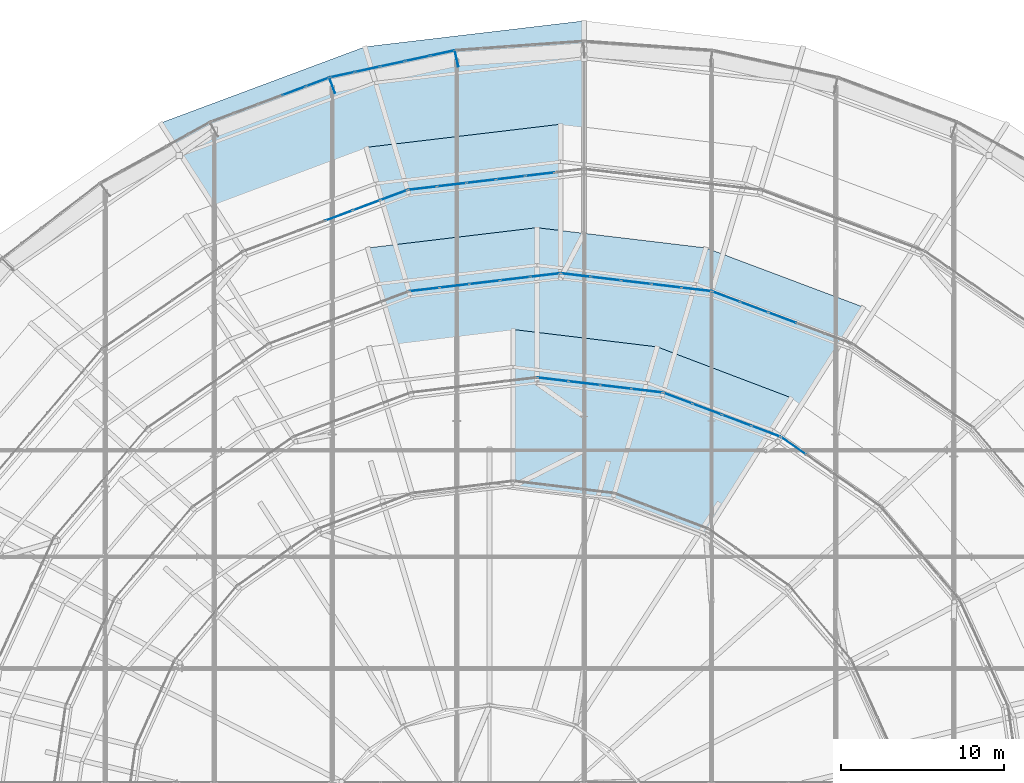
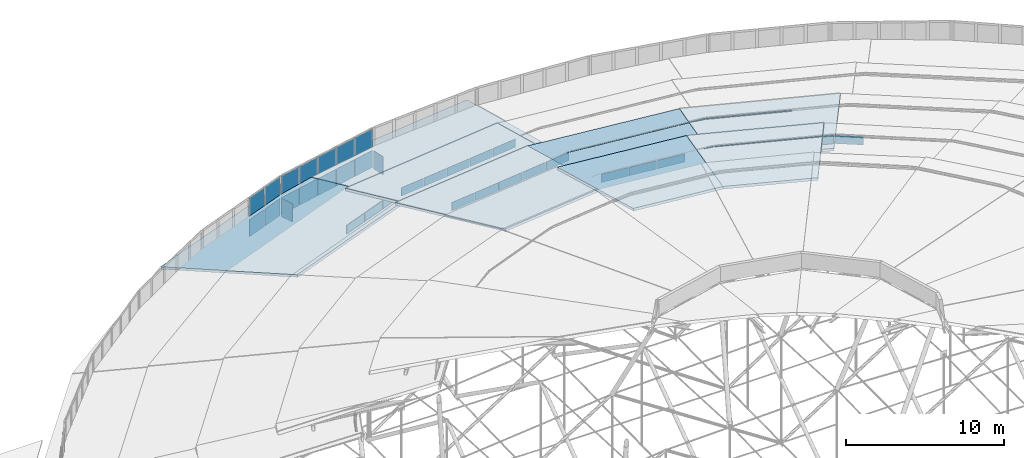
# One storey, part 157 of 173: 46 plates, 8 slabs, 14 elements without a shape of their own.
"""IFC4 building model written with IfcOpenShell, lengths in metres."""

from ifc_helpers import new_model, si_unit, direction, frame, origin, origin_2d, place, context, subcontext, project, spatial, polyline, rectangle, outline, extrude, material, layer, layer_set, type_object, element, aggregate, save


model = new_model("IFC4")

# Units and contexts
model_context = context("Model", 3, precision=1e-05, world=origin(), true_north=direction((0.0, 1.0)))
body_context = subcontext(model_context, "Body", "Model", "MODEL_VIEW")
ifc_project = project(units=[si_unit("LENGTHUNIT", "METRE"), si_unit("AREAUNIT", "SQUARE_METRE"), si_unit("VOLUMEUNIT", "CUBIC_METRE"), si_unit("PLANEANGLEUNIT", "RADIAN"), si_unit("MASSUNIT", "GRAM", prefix="KILO")], contexts=[model_context])

# Site, building, storey
site_placement = place(None, origin())
site = spatial("IfcSite", under=ifc_project, at=site_placement, CompositionType="ELEMENT")
building_placement = place(site_placement, origin())
building = spatial("IfcBuilding", under=site, at=building_placement, Name="Glasvene Arena", CompositionType="ELEMENT")
storey_placement = place(building_placement, frame((0.0, 0.0, 28.800048828125)))
storey = spatial("IfcBuildingStorey", under=building, at=storey_placement, Name="RF", CompositionType="ELEMENT", Elevation=28.800048828125)

# Curtain wall, plates
ifc_material_1 = material(Name="Low-emissivity laminated double glazing", Category="glass")
curtain_wall_type_1 = type_object("IfcCurtainWallType", Name="CW-PET1-1091x75", PredefinedType="USERDEFINED", material=ifc_material_1)
curtain_wall_1_placement = place(storey_placement, frame((92.0, 110.699951171875, 0.0)))
curtain_wall_1 = element("IfcCurtainWall", 1, at=curtain_wall_1_placement, inside=storey, type_object=curtain_wall_type_1, Name="Petal ring 1-2 clerestory curtain wall 07", ObjectType="CURTAIN WALL", PredefinedType="USERDEFINED")
ifc_layer_1 = layer(ifc_material_1, 0.028076171875)
ifc_layer_set_1 = layer_set([ifc_layer_1], Name="Low-emissivity laminated double glazing")
plate_type_1 = type_object("IfcPlateType", Name="CW-GLZ-28", PredefinedType="CURTAIN_PANEL", material=ifc_layer_set_1)
plate_1_placement = place(storey_placement, frame((89.2919921875, 110.37890625, 2.6298828125), z_axis=(0.0, 0.0, 1.0), x_axis=(-0.993040652756, -0.117772076378, 0.0)))
plate_1 = element("IfcPlate", 2, at=plate_1_placement, type_object=plate_type_1, Name="CW-086 panel 2.1", PredefinedType="CURTAIN_PANEL", context=body_context, shape_type="SweptSolid", body=[
    extrude(rectangle(XDim=1.767822265625, YDim=0.028076171875, at=origin_2d()), origin(), (0.0, 0.0, 1.0), 0.64990234375),
])
plate_2_placement = place(storey_placement, frame((87.48681640625, 110.164794921875, 2.6298828125), z_axis=(0.0, 0.0, 1.0), x_axis=(-0.993040652756, -0.117772076378, 0.0)))
plate_2 = element("IfcPlate", 3, at=plate_2_placement, type_object=plate_type_1, Name="CW-086 panel 3.1", PredefinedType="CURTAIN_PANEL", context=body_context, shape_type="SweptSolid", body=[
    extrude(rectangle(XDim=1.767822265625, YDim=0.028076171875, at=origin_2d()), origin(), (0.0, 0.0, 1.0), 0.64990234375),
])
plate_3_placement = place(storey_placement, frame((85.681640625, 109.95068359375, 2.6298828125), z_axis=(0.0, 0.0, 1.0), x_axis=(-0.993040652756, -0.117772076378, 0.0)))
plate_3 = element("IfcPlate", 4, at=plate_3_placement, type_object=plate_type_1, Name="CW-086 panel 4.1", PredefinedType="CURTAIN_PANEL", context=body_context, shape_type="SweptSolid", body=[
    extrude(rectangle(XDim=1.767822265625, YDim=0.028076171875, at=origin_2d()), origin(), (0.0, 0.0, 1.0), 0.64990234375),
])
plate_4_placement = place(storey_placement, frame((83.876220703125, 109.736572265625, 2.6298828125), z_axis=(0.0, 0.0, 1.0), x_axis=(-0.993040652756, -0.117772076378, 0.0)))
plate_4 = element("IfcPlate", 5, at=plate_4_placement, type_object=plate_type_1, Name="CW-086 panel 5.1", PredefinedType="CURTAIN_PANEL", context=body_context, shape_type="SweptSolid", body=[
    extrude(rectangle(XDim=1.767822265625, YDim=0.028076171875, at=origin_2d()), origin(), (0.0, 0.0, 1.0), 0.64990234375),
])
plate_5_placement = place(storey_placement, frame((82.08349609375, 109.52392578125, 2.6298828125), z_axis=(0.0, 0.0, 1.0), x_axis=(-0.993040652756, -0.117772076378, 0.0)))
plate_5 = element("IfcPlate", 6, at=plate_5_placement, type_object=plate_type_1, Name="CW-086 panel 6.1", PredefinedType="CURTAIN_PANEL", context=body_context, shape_type="SweptSolid", body=[
    extrude(rectangle(XDim=1.742919921875, YDim=0.028076171875, at=origin_2d()), origin(), (0.0, 0.0, 1.0), 0.64990234375),
])
aggregate(curtain_wall_1, [plate_1, plate_2, plate_3, plate_4, plate_5])

curtain_wall_type_2 = type_object("IfcCurtainWallType", Name="CW-PET1-1077x75", PredefinedType="USERDEFINED", material=ifc_material_1)
curtain_wall_2_placement = place(storey_placement, frame((81.16845703125, 109.415283203125, 0.0)))
curtain_wall_2 = element("IfcCurtainWall", 7, at=curtain_wall_2_placement, inside=storey, type_object=curtain_wall_type_2, Name="Petal ring 1-2 clerestory curtain wall 08", ObjectType="CURTAIN WALL", PredefinedType="USERDEFINED")
plate_6_placement = place(storey_placement, frame((80.315673828125, 109.09716796875, 2.6298828125), z_axis=(0.0, 0.0, 1.0), x_axis=(-0.936902411354, -0.349591006176, 0.0)))
plate_6 = element("IfcPlate", 8, at=plate_6_placement, type_object=plate_type_1, Name="CW-085 panel 1.1", PredefinedType="CURTAIN_PANEL", context=body_context, shape_type="SweptSolid", body=[
    extrude(rectangle(XDim=1.720458984375, YDim=0.028076171875, at=origin_2d()), origin(), (0.0, 0.0, 1.0), 0.64990234375),
])
plate_7_placement = place(storey_placement, frame((78.64501953125, 108.473876953125, 2.6298828125), z_axis=(0.0, 0.0, 1.0), x_axis=(-0.936902411354, -0.349591006176, 0.0)))
plate_7 = element("IfcPlate", 9, at=plate_7_placement, type_object=plate_type_1, Name="CW-085 panel 2.1", PredefinedType="CURTAIN_PANEL", context=body_context, shape_type="SweptSolid", body=[
    extrude(rectangle(XDim=1.74560546875, YDim=0.028076171875, at=origin_2d()), origin(), (0.0, 0.0, 1.0), 0.64990234375),
])
plate_8_placement = place(storey_placement, frame((76.962890625, 107.84619140625, 2.6298828125), z_axis=(0.0, 0.0, 1.0), x_axis=(-0.936902411354, -0.349591006176, 0.0)))
plate_8 = element("IfcPlate", 10, at=plate_8_placement, type_object=plate_type_1, Name="CW-085 panel 3.1", PredefinedType="CURTAIN_PANEL", context=body_context, shape_type="SweptSolid", body=[
    extrude(rectangle(XDim=1.74560546875, YDim=0.028076171875, at=origin_2d()), origin(), (0.0, 0.0, 1.0), 0.64990234375),
])
aggregate(curtain_wall_2, [plate_6, plate_7, plate_8])

curtain_wall_type_3 = type_object("IfcCurtainWallType", Name="CW-PET2-925x75", PredefinedType="USERDEFINED", material=ifc_material_1)
curtain_wall_3_placement = place(storey_placement, frame((108.5, 99.952392578125, 0.0)))
curtain_wall_3 = element("IfcCurtainWall", 11, at=curtain_wall_3_placement, inside=storey, type_object=curtain_wall_type_3, Name="Petal ring 2-3 clerestory curtain wall 05", ObjectType="CURTAIN WALL", PredefinedType="USERDEFINED")
plate_9_placement = place(storey_placement, frame((104.1708984375, 101.573486328125, 5.22998046875), z_axis=(0.0, 0.0, 1.0), x_axis=(-0.936510409342, 0.350639776971, 0.0)))
plate_9 = element("IfcPlate", 12, at=plate_9_placement, type_object=plate_type_1, Name="CW-091 panel 3.1", PredefinedType="CURTAIN_PANEL", context=body_context, shape_type="SweptSolid", body=[
    extrude(rectangle(XDim=1.799072265625, YDim=0.028076171875, at=origin_2d()), origin(), (0.0, 0.0, 1.0), 0.64990234375),
])
plate_10_placement = place(storey_placement, frame((102.439208984375, 102.2216796875, 5.22998046875), z_axis=(0.0, 0.0, 1.0), x_axis=(-0.936510409342, 0.350639776971, 0.0)))
plate_10 = element("IfcPlate", 13, at=plate_10_placement, type_object=plate_type_1, Name="CW-091 panel 4.1", PredefinedType="CURTAIN_PANEL", context=body_context, shape_type="SweptSolid", body=[
    extrude(rectangle(XDim=1.799072265625, YDim=0.028076171875, at=origin_2d()), origin(), (0.0, 0.0, 1.0), 0.64990234375),
])
plate_11_placement = place(storey_placement, frame((100.71923828125, 102.86572265625, 5.22998046875), z_axis=(0.0, 0.0, 1.0), x_axis=(-0.936510409342, 0.350639776971, 0.0)))
plate_11 = element("IfcPlate", 14, at=plate_11_placement, type_object=plate_type_1, Name="CW-091 panel 5.1", PredefinedType="CURTAIN_PANEL", context=body_context, shape_type="SweptSolid", body=[
    extrude(rectangle(XDim=1.774169921875, YDim=0.028076171875, at=origin_2d()), origin(), (0.0, 0.0, 1.0), 0.64990234375),
])
aggregate(curtain_wall_3, [plate_9, plate_10, plate_11])

curtain_wall_type_4 = type_object("IfcCurtainWallType", Name="CW-PET2-936x75", PredefinedType="USERDEFINED", material=ifc_material_1)
curtain_wall_4_placement = place(storey_placement, frame((99.841552734375, 103.1943359375, 0.0)))
curtain_wall_4 = element("IfcCurtainWall", 15, at=curtain_wall_4_placement, inside=storey, type_object=curtain_wall_type_4, Name="Petal ring 2-3 clerestory curtain wall 06", ObjectType="CURTAIN WALL", PredefinedType="USERDEFINED")
plate_12_placement = place(storey_placement, frame((98.900146484375, 103.306396484375, 5.22998046875), z_axis=(0.0, 0.0, 1.0), x_axis=(-0.992993828668, 0.118166222866, 0.0)))
plate_12 = element("IfcPlate", 16, at=plate_12_placement, type_object=plate_type_1, Name="CW-092 panel 1.1", PredefinedType="CURTAIN_PANEL", context=body_context, shape_type="SweptSolid", body=[
    extrude(rectangle(XDim=1.79638671875, YDim=0.028076171875, at=origin_2d()), origin(), (0.0, 0.0, 1.0), 0.64990234375),
])
plate_13_placement = place(storey_placement, frame((97.05419921875, 103.526123046875, 5.22998046875), z_axis=(0.0, 0.0, 1.0), x_axis=(-0.992993828668, 0.118166222866, 0.0)))
plate_13 = element("IfcPlate", 17, at=plate_13_placement, type_object=plate_type_1, Name="CW-092 panel 2.1", PredefinedType="CURTAIN_PANEL", context=body_context, shape_type="SweptSolid", body=[
    extrude(rectangle(XDim=1.821533203125, YDim=0.028076171875, at=origin_2d()), origin(), (0.0, 0.0, 1.0), 0.64990234375),
])
plate_14_placement = place(storey_placement, frame((95.19580078125, 103.7470703125, 5.22998046875), z_axis=(0.0, 0.0, 1.0), x_axis=(-0.992993828668, 0.118166222866, 0.0)))
plate_14 = element("IfcPlate", 18, at=plate_14_placement, type_object=plate_type_1, Name="CW-092 panel 3.1", PredefinedType="CURTAIN_PANEL", context=body_context, shape_type="SweptSolid", body=[
    extrude(rectangle(XDim=1.821533203125, YDim=0.028076171875, at=origin_2d()), origin(), (0.0, 0.0, 1.0), 0.64990234375),
])
plate_15_placement = place(storey_placement, frame((93.33740234375, 103.96826171875, 5.22998046875), z_axis=(0.0, 0.0, 1.0), x_axis=(-0.992993828668, 0.118166222866, 0.0)))
plate_15 = element("IfcPlate", 19, at=plate_15_placement, type_object=plate_type_1, Name="CW-092 panel 4.1", PredefinedType="CURTAIN_PANEL", context=body_context, shape_type="SweptSolid", body=[
    extrude(rectangle(XDim=1.821533203125, YDim=0.028076171875, at=origin_2d()), origin(), (0.0, 0.0, 1.0), 0.64990234375),
])
plate_16_placement = place(storey_placement, frame((91.491455078125, 104.18798828125, 5.22998046875), z_axis=(0.0, 0.0, 1.0), x_axis=(-0.992993828668, 0.118166222866, 0.0)))
plate_16 = element("IfcPlate", 20, at=plate_16_placement, type_object=plate_type_1, Name="CW-092 panel 5.1", PredefinedType="CURTAIN_PANEL", context=body_context, shape_type="SweptSolid", body=[
    extrude(rectangle(XDim=1.79638671875, YDim=0.028076171875, at=origin_2d()), origin(), (0.0, 0.0, 1.0), 0.64990234375),
])
aggregate(curtain_wall_4, [plate_12, plate_13, plate_14, plate_15, plate_16])

curtain_wall_5_placement = place(storey_placement, frame((90.550048828125, 104.300048828125, 0.0)))
curtain_wall_5 = element("IfcCurtainWall", 21, at=curtain_wall_5_placement, inside=storey, type_object=curtain_wall_type_4, Name="Petal ring 2-3 clerestory curtain wall 07", ObjectType="CURTAIN WALL", PredefinedType="USERDEFINED")
plate_17_placement = place(storey_placement, frame((89.6083984375, 104.18798828125, 5.22998046875), z_axis=(0.0, 0.0, 1.0), x_axis=(-0.992993828668, -0.118166222866, 0.0)))
plate_17 = element("IfcPlate", 22, at=plate_17_placement, type_object=plate_type_1, Name="CW-092 panel 1.1", PredefinedType="CURTAIN_PANEL", context=body_context, shape_type="SweptSolid", body=[
    extrude(rectangle(XDim=1.79638671875, YDim=0.028076171875, at=origin_2d()), origin(), (0.0, 0.0, 1.0), 0.64990234375),
])
plate_18_placement = place(storey_placement, frame((87.762451171875, 103.96826171875, 5.22998046875), z_axis=(0.0, 0.0, 1.0), x_axis=(-0.992993828668, -0.118166222866, 0.0)))
plate_18 = element("IfcPlate", 23, at=plate_18_placement, type_object=plate_type_1, Name="CW-092 panel 2.1", PredefinedType="CURTAIN_PANEL", context=body_context, shape_type="SweptSolid", body=[
    extrude(rectangle(XDim=1.821533203125, YDim=0.028076171875, at=origin_2d()), origin(), (0.0, 0.0, 1.0), 0.64990234375),
])
plate_19_placement = place(storey_placement, frame((85.904296875, 103.7470703125, 5.22998046875), z_axis=(0.0, 0.0, 1.0), x_axis=(-0.992993828668, -0.118166222866, 0.0)))
plate_19 = element("IfcPlate", 24, at=plate_19_placement, type_object=plate_type_1, Name="CW-092 panel 3.1", PredefinedType="CURTAIN_PANEL", context=body_context, shape_type="SweptSolid", body=[
    extrude(rectangle(XDim=1.821533203125, YDim=0.028076171875, at=origin_2d()), origin(), (0.0, 0.0, 1.0), 0.64990234375),
])
plate_20_placement = place(storey_placement, frame((84.0458984375, 103.526123046875, 5.22998046875), z_axis=(0.0, 0.0, 1.0), x_axis=(-0.992993828668, -0.118166222866, 0.0)))
plate_20 = element("IfcPlate", 25, at=plate_20_placement, type_object=plate_type_1, Name="CW-092 panel 4.1", PredefinedType="CURTAIN_PANEL", context=body_context, shape_type="SweptSolid", body=[
    extrude(rectangle(XDim=1.821533203125, YDim=0.028076171875, at=origin_2d()), origin(), (0.0, 0.0, 1.0), 0.64990234375),
])
plate_21_placement = place(storey_placement, frame((82.199951171875, 103.306396484375, 5.22998046875), z_axis=(0.0, 0.0, 1.0), x_axis=(-0.992993828668, -0.118166222866, 0.0)))
plate_21 = element("IfcPlate", 26, at=plate_21_placement, type_object=plate_type_1, Name="CW-092 panel 5.1", PredefinedType="CURTAIN_PANEL", context=body_context, shape_type="SweptSolid", body=[
    extrude(rectangle(XDim=1.79638671875, YDim=0.028076171875, at=origin_2d()), origin(), (0.0, 0.0, 1.0), 0.64990234375),
])
aggregate(curtain_wall_5, [plate_17, plate_18, plate_19, plate_20, plate_21])

# Curtain wall, plate
curtain_wall_type_5 = type_object("IfcCurtainWallType", Name="CW-PET3-756x75", PredefinedType="USERDEFINED", material=ifc_material_1)
curtain_wall_6_placement = place(storey_placement, frame((110.27783203125, 89.933349609375, 0.0)))
curtain_wall_6 = element("IfcCurtainWall", 27, at=curtain_wall_6_placement, inside=storey, type_object=curtain_wall_type_5, Name="Petal ring 3-4 clerestory curtain wall 04", ObjectType="CURTAIN WALL", PredefinedType="USERDEFINED")
plate_22_placement = place(storey_placement, frame((104.860595703125, 93.70849609375, 7.8798828125), z_axis=(0.0, 0.0, 1.0), x_axis=(-0.82043313701, 0.571742483725, 0.0)))
plate_22 = element("IfcPlate", 28, at=plate_22_placement, type_object=plate_type_1, Name="CW-096 panel 4.1", PredefinedType="CURTAIN_PANEL", context=body_context, shape_type="SweptSolid", body=[
    extrude(rectangle(XDim=1.815185546875, YDim=0.028076171875, at=origin_2d()), origin(), (0.0, 0.0, 1.0), 0.64990234375),
])
aggregate(curtain_wall_6, [plate_22])

# Curtain wall, plates
curtain_wall_type_6 = type_object("IfcCurtainWallType", Name="CW-PET3-772x75", PredefinedType="USERDEFINED", material=ifc_material_1)
curtain_wall_7_placement = place(storey_placement, frame((104.074951171875, 94.255859375, 0.0)))
curtain_wall_7 = element("IfcCurtainWall", 29, at=curtain_wall_7_placement, inside=storey, type_object=curtain_wall_type_6, Name="Petal ring 3-4 clerestory curtain wall 05", ObjectType="CURTAIN WALL", PredefinedType="USERDEFINED")
plate_23_placement = place(storey_placement, frame((103.160400390625, 94.599853515625, 7.8798828125), z_axis=(0.0, 0.0, 1.0), x_axis=(-0.93596551429, 0.352091687007, 0.0)))
plate_23 = element("IfcPlate", 30, at=plate_23_placement, type_object=plate_type_1, Name="CW-097 panel 1.1", PredefinedType="CURTAIN_PANEL", context=body_context, shape_type="SweptSolid", body=[
    extrude(rectangle(XDim=1.8544921875, YDim=0.028076171875, at=origin_2d()), origin(), (0.0, 0.0, 1.0), 0.64990234375),
])
plate_24_placement = place(storey_placement, frame((101.3662109375, 95.27490234375, 7.8798828125), z_axis=(0.0, 0.0, 1.0), x_axis=(-0.93596551429, 0.352091687007, 0.0)))
plate_24 = element("IfcPlate", 31, at=plate_24_placement, type_object=plate_type_1, Name="CW-097 panel 2.1", PredefinedType="CURTAIN_PANEL", context=body_context, shape_type="SweptSolid", body=[
    extrude(rectangle(XDim=1.87939453125, YDim=0.028076171875, at=origin_2d()), origin(), (0.0, 0.0, 1.0), 0.64990234375),
])
plate_25_placement = place(storey_placement, frame((99.560302734375, 95.9541015625, 7.8798828125), z_axis=(0.0, 0.0, 1.0), x_axis=(-0.93596551429, 0.352091687007, 0.0)))
plate_25 = element("IfcPlate", 32, at=plate_25_placement, type_object=plate_type_1, Name="CW-097 panel 3.1", PredefinedType="CURTAIN_PANEL", context=body_context, shape_type="SweptSolid", body=[
    extrude(rectangle(XDim=1.87939453125, YDim=0.028076171875, at=origin_2d()), origin(), (0.0, 0.0, 1.0), 0.64990234375),
])
plate_26_placement = place(storey_placement, frame((97.76611328125, 96.629150390625, 7.8798828125), z_axis=(0.0, 0.0, 1.0), x_axis=(-0.93596551429, 0.352091687007, 0.0)))
plate_26 = element("IfcPlate", 33, at=plate_26_placement, type_object=plate_type_1, Name="CW-097 panel 4.1", PredefinedType="CURTAIN_PANEL", context=body_context, shape_type="SweptSolid", body=[
    extrude(rectangle(XDim=1.8544921875, YDim=0.028076171875, at=origin_2d()), origin(), (0.0, 0.0, 1.0), 0.64990234375),
])
aggregate(curtain_wall_7, [plate_23, plate_24, plate_25, plate_26])

curtain_wall_type_7 = type_object("IfcCurtainWallType", Name="CW-PET3-781x75", PredefinedType="USERDEFINED", material=ifc_material_1)
curtain_wall_8_placement = place(storey_placement, frame((96.8515625, 96.97314453125, 0.0)))
curtain_wall_8 = element("IfcCurtainWall", 34, at=curtain_wall_8_placement, inside=storey, type_object=curtain_wall_type_7, Name="Petal ring 3-4 clerestory curtain wall 06", ObjectType="CURTAIN WALL", PredefinedType="USERDEFINED")
plate_27_placement = place(storey_placement, frame((95.8701171875, 97.090576171875, 7.8798828125), z_axis=(0.0, 0.0, 1.0), x_axis=(-0.992928145056, 0.11871688488, 0.0)))
plate_27 = element("IfcPlate", 35, at=plate_27_placement, type_object=plate_type_1, Name="CW-098 panel 1.1", PredefinedType="CURTAIN_PANEL", context=body_context, shape_type="SweptSolid", body=[
    extrude(rectangle(XDim=1.876708984375, YDim=0.028076171875, at=origin_2d()), origin(), (0.0, 0.0, 1.0), 0.64990234375),
])
plate_28_placement = place(storey_placement, frame((93.94482421875, 97.32080078125, 7.8798828125), z_axis=(0.0, 0.0, 1.0), x_axis=(-0.992928145056, 0.11871688488, 0.0)))
plate_28 = element("IfcPlate", 36, at=plate_28_placement, type_object=plate_type_1, Name="CW-098 panel 2.1", PredefinedType="CURTAIN_PANEL", context=body_context, shape_type="SweptSolid", body=[
    extrude(rectangle(XDim=1.901611328125, YDim=0.028076171875, at=origin_2d()), origin(), (0.0, 0.0, 1.0), 0.64990234375),
])
plate_29_placement = place(storey_placement, frame((92.0068359375, 97.552490234375, 7.8798828125), z_axis=(0.0, 0.0, 1.0), x_axis=(-0.992928145056, 0.11871688488, 0.0)))
plate_29 = element("IfcPlate", 37, at=plate_29_placement, type_object=plate_type_1, Name="CW-098 panel 3.1", PredefinedType="CURTAIN_PANEL", context=body_context, shape_type="SweptSolid", body=[
    extrude(rectangle(XDim=1.901611328125, YDim=0.028076171875, at=origin_2d()), origin(), (0.0, 0.0, 1.0), 0.64990234375),
])
plate_30_placement = place(storey_placement, frame((90.081298828125, 97.78271484375, 7.8798828125), z_axis=(0.0, 0.0, 1.0), x_axis=(-0.992928145056, 0.11871688488, 0.0)))
plate_30 = element("IfcPlate", 38, at=plate_30_placement, type_object=plate_type_1, Name="CW-098 panel 4.1", PredefinedType="CURTAIN_PANEL", context=body_context, shape_type="SweptSolid", body=[
    extrude(rectangle(XDim=1.876708984375, YDim=0.028076171875, at=origin_2d()), origin(), (0.0, 0.0, 1.0), 0.64990234375),
])
aggregate(curtain_wall_8, [plate_27, plate_28, plate_29, plate_30])

curtain_wall_type_8 = type_object("IfcCurtainWallType", Name="CW-DRUM-789x310", PredefinedType="USERDEFINED", material=ifc_material_1)
curtain_wall_9_placement = place(storey_placement, frame((84.09228515625, 117.9892578125, 0.0)))
curtain_wall_9 = element("IfcCurtainWall", 39, at=curtain_wall_9_placement, inside=storey, type_object=curtain_wall_type_8, Name="Crown compression-ring fascia curtain wall 12", ObjectType="CURTAIN WALL", PredefinedType="USERDEFINED")
ifc_material_2 = material(Name="Insulated shadow-box spandrel panel")
ifc_layer_2 = layer(ifc_material_2, 0.02392578125)
ifc_layer_set_2 = layer_set([ifc_layer_2], Name="Insulated shadow-box spandrel panel")
plate_type_2 = type_object("IfcPlateType", Name="CW-SPN-24", PredefinedType="CURTAIN_PANEL", material=ifc_layer_set_2)
plate_31_placement = place(storey_placement, frame((83.30859375, 117.819580078125, -1.330078125), z_axis=(0.0, 0.0, 1.0), x_axis=(-0.977389964658, -0.211444690135, 0.0)))
plate_31 = element("IfcPlate", 40, at=plate_31_placement, type_object=plate_type_2, Name="CW-079 panel 1.1", PredefinedType="CURTAIN_PANEL", context=body_context, shape_type="SweptSolid", body=[
    extrude(rectangle(XDim=1.503173828125, YDim=0.02392578125, at=origin_2d()), origin(), (0.0, 0.0, 1.0), 1.324951171875),
])
plate_32_placement = place(storey_placement, frame((83.30859375, 117.819580078125, 0.044921875), z_axis=(0.0, 0.0, 1.0), x_axis=(-0.977389964658, -0.211444690135, 0.0)))
plate_32 = element("IfcPlate", 41, at=plate_32_placement, type_object=plate_type_2, Name="CW-079 panel 1.2", PredefinedType="CURTAIN_PANEL", context=body_context, shape_type="SweptSolid", body=[
    extrude(rectangle(XDim=1.503173828125, YDim=0.02392578125, at=origin_2d()), origin(), (0.0, 0.0, 1.0), 1.625),
])
plate_33_placement = place(storey_placement, frame((81.7783203125, 117.488525390625, -1.330078125), z_axis=(0.0, 0.0, 1.0), x_axis=(-0.977389964658, -0.211444690135, 0.0)))
plate_33 = element("IfcPlate", 42, at=plate_33_placement, type_object=plate_type_2, Name="CW-079 panel 2.1", PredefinedType="CURTAIN_PANEL", context=body_context, shape_type="SweptSolid", body=[
    extrude(rectangle(XDim=1.5283203125, YDim=0.02392578125, at=origin_2d()), origin(), (0.0, 0.0, 1.0), 1.324951171875),
])
plate_34_placement = place(storey_placement, frame((81.7783203125, 117.488525390625, 0.044921875), z_axis=(0.0, 0.0, 1.0), x_axis=(-0.977389964658, -0.211444690135, 0.0)))
plate_34 = element("IfcPlate", 43, at=plate_34_placement, type_object=plate_type_2, Name="CW-079 panel 2.2", PredefinedType="CURTAIN_PANEL", context=body_context, shape_type="SweptSolid", body=[
    extrude(rectangle(XDim=1.5283203125, YDim=0.02392578125, at=origin_2d()), origin(), (0.0, 0.0, 1.0), 1.625),
])
plate_35_placement = place(storey_placement, frame((80.235595703125, 117.15478515625, -1.330078125), z_axis=(0.0, 0.0, 1.0), x_axis=(-0.977389964658, -0.211444690135, 0.0)))
plate_35 = element("IfcPlate", 44, at=plate_35_placement, type_object=plate_type_2, Name="CW-079 panel 3.1", PredefinedType="CURTAIN_PANEL", context=body_context, shape_type="SweptSolid", body=[
    extrude(rectangle(XDim=1.5283203125, YDim=0.02392578125, at=origin_2d()), origin(), (0.0, 0.0, 1.0), 1.324951171875),
])
plate_36_placement = place(storey_placement, frame((80.235595703125, 117.15478515625, 0.044921875), z_axis=(0.0, 0.0, 1.0), x_axis=(-0.977389964658, -0.211444690135, 0.0)))
plate_36 = element("IfcPlate", 45, at=plate_36_placement, type_object=plate_type_2, Name="CW-079 panel 3.2", PredefinedType="CURTAIN_PANEL", context=body_context, shape_type="SweptSolid", body=[
    extrude(rectangle(XDim=1.5283203125, YDim=0.02392578125, at=origin_2d()), origin(), (0.0, 0.0, 1.0), 1.625),
])
plate_37_placement = place(storey_placement, frame((78.693115234375, 116.8212890625, -1.330078125), z_axis=(0.0, 0.0, 1.0), x_axis=(-0.977389964658, -0.211444690135, 0.0)))
plate_37 = element("IfcPlate", 46, at=plate_37_placement, type_object=plate_type_2, Name="CW-079 panel 4.1", PredefinedType="CURTAIN_PANEL", context=body_context, shape_type="SweptSolid", body=[
    extrude(rectangle(XDim=1.5283203125, YDim=0.02392578125, at=origin_2d()), origin(), (0.0, 0.0, 1.0), 1.324951171875),
])
plate_38_placement = place(storey_placement, frame((78.693115234375, 116.8212890625, 0.044921875), z_axis=(0.0, 0.0, 1.0), x_axis=(-0.977389964658, -0.211444690135, 0.0)))
plate_38 = element("IfcPlate", 47, at=plate_38_placement, type_object=plate_type_2, Name="CW-079 panel 4.2", PredefinedType="CURTAIN_PANEL", context=body_context, shape_type="SweptSolid", body=[
    extrude(rectangle(XDim=1.5283203125, YDim=0.02392578125, at=origin_2d()), origin(), (0.0, 0.0, 1.0), 1.625),
])
plate_39_placement = place(storey_placement, frame((77.16259765625, 116.489990234375, -1.330078125), z_axis=(0.0, 0.0, 1.0), x_axis=(-0.977389964658, -0.211444690135, 0.0)))
plate_39 = element("IfcPlate", 48, at=plate_39_placement, type_object=plate_type_2, Name="CW-079 panel 5.1", PredefinedType="CURTAIN_PANEL", context=body_context, shape_type="SweptSolid", body=[
    extrude(rectangle(XDim=1.503173828125, YDim=0.02392578125, at=origin_2d()), origin(), (0.0, 0.0, 1.0), 1.324951171875),
])
plate_40_placement = place(storey_placement, frame((77.16259765625, 116.489990234375, 0.044921875), z_axis=(0.0, 0.0, 1.0), x_axis=(-0.977389964658, -0.211444690135, 0.0)))
plate_40 = element("IfcPlate", 49, at=plate_40_placement, type_object=plate_type_2, Name="CW-079 panel 5.2", PredefinedType="CURTAIN_PANEL", context=body_context, shape_type="SweptSolid", body=[
    extrude(rectangle(XDim=1.503173828125, YDim=0.02392578125, at=origin_2d()), origin(), (0.0, 0.0, 1.0), 1.625),
])
aggregate(curtain_wall_9, [plate_31, plate_32, plate_33, plate_34, plate_35, plate_36, plate_37, plate_38, plate_39, plate_40])

curtain_wall_type_9 = type_object("IfcCurtainWallType", Name="CW-DRUM-782x310", PredefinedType="USERDEFINED", material=ifc_material_1)
curtain_wall_10_placement = place(storey_placement, frame((76.379150390625, 116.320556640625, 0.0)))
curtain_wall_10 = element("IfcCurtainWall", 50, at=curtain_wall_10_placement, inside=storey, type_object=curtain_wall_type_9, Name="Crown compression-ring fascia curtain wall 13", ObjectType="CURTAIN WALL", PredefinedType="USERDEFINED")
plate_41_placement = place(storey_placement, frame((75.634765625, 116.042724609375, -1.330078125), z_axis=(0.0, 0.0, 1.0), x_axis=(-0.936868153311, -0.349682803856, 0.0)))
plate_41 = element("IfcPlate", 51, at=plate_41_placement, type_object=plate_type_2, Name="CW-078 panel 1.1", PredefinedType="CURTAIN_PANEL", context=body_context, shape_type="SweptSolid", body=[
    extrude(rectangle(XDim=1.489501953125, YDim=0.02392578125, at=origin_2d()), origin(), (0.0, 0.0, 1.0), 1.324951171875),
])
plate_42_placement = place(storey_placement, frame((75.634765625, 116.042724609375, 0.044921875), z_axis=(0.0, 0.0, 1.0), x_axis=(-0.936868153311, -0.349682803856, 0.0)))
plate_42 = element("IfcPlate", 52, at=plate_42_placement, type_object=plate_type_2, Name="CW-078 panel 1.2", PredefinedType="CURTAIN_PANEL", context=body_context, shape_type="SweptSolid", body=[
    extrude(rectangle(XDim=1.489501953125, YDim=0.02392578125, at=origin_2d()), origin(), (0.0, 0.0, 1.0), 1.625),
])
plate_43_placement = place(storey_placement, frame((74.1806640625, 115.5, -1.330078125), z_axis=(0.0, 0.0, 1.0), x_axis=(-0.936868153311, -0.349682803856, 0.0)))
plate_43 = element("IfcPlate", 53, at=plate_43_placement, type_object=plate_type_2, Name="CW-078 panel 2.1", PredefinedType="CURTAIN_PANEL", context=body_context, shape_type="SweptSolid", body=[
    extrude(rectangle(XDim=1.514404296875, YDim=0.02392578125, at=origin_2d()), origin(), (0.0, 0.0, 1.0), 1.324951171875),
])
plate_44_placement = place(storey_placement, frame((74.1806640625, 115.5, 0.044921875), z_axis=(0.0, 0.0, 1.0), x_axis=(-0.936868153311, -0.349682803856, 0.0)))
plate_44 = element("IfcPlate", 54, at=plate_44_placement, type_object=plate_type_2, Name="CW-078 panel 2.2", PredefinedType="CURTAIN_PANEL", context=body_context, shape_type="SweptSolid", body=[
    extrude(rectangle(XDim=1.514404296875, YDim=0.02392578125, at=origin_2d()), origin(), (0.0, 0.0, 1.0), 1.625),
])
aggregate(curtain_wall_10, [plate_41, plate_42, plate_43, plate_44])

# Plates
ifc_material_3 = material(Name="Steel S355J2", Category="steel")
ifc_layer_3 = layer(ifc_material_3, 0.035888671875)
ifc_layer_set_3 = layer_set([ifc_layer_3], Name="Steel S355J2")
plate_type_3 = type_object("IfcPlateType", Name="PL-CAP-36", PredefinedType="SHEET", material=ifc_layer_set_3)
for number, where, z_axis, x_axis, name in (
    (55, (84.17822265625, 117.446044921875, -1.409912109375), (0.0, 0.0, 1.0), (-0.977452762534, -0.211154201982, 0.0), "Ring beam node diaphragm cap plate ND-12"),
    (56, (76.54931640625, 115.797607421875, -1.409912109375), (0.0, 0.0, 1.0), (-0.937038411905, -0.349226308593, 0.0), "Ring beam node diaphragm cap plate ND-13"),
):
    element("IfcPlate", number, at=place(storey_placement, frame(where, z_axis=z_axis, x_axis=x_axis)), inside=storey, type_object=plate_type_3, Name=name, PredefinedType="SHEET", context=body_context, shape_type="SweptSolid", body=[
        extrude(rectangle(XDim=0.035888671875, YDim=0.919921875, at=origin_2d()), origin(), (0.0, 0.0, 1.0), 1.419921875),
    ])

# Roof, slabs
ifc_material_4 = material(Name="Smooth matte white insulated roof panel")
ifc_layer_4 = layer(ifc_material_4, 0.179931640625)
ifc_layer_set_4 = layer_set([ifc_layer_4], Name="Smooth matte white insulated roof panel")
roof_type = type_object("IfcRoofType", Name="RF-PETAL-ASSY", PredefinedType="PAVILION_ROOF", material=ifc_layer_set_4)
roof_1_placement = place(storey_placement, frame((92.0, 73.0, 0.0)))
roof_1 = element("IfcRoof", 57, at=roof_1_placement, inside=storey, type_object=roof_type, Name="Shifted white elliptical petal roof ring 1", PredefinedType="PAVILION_ROOF")
ifc_material_5 = material(Name="Precast concrete C50/60", Category="concrete")
ifc_layer_5 = layer(ifc_material_5, 0.179931640625)
ifc_layer_set_5 = layer_set([ifc_layer_5], Name="Precast concrete C50/60")
slab_type = type_object("IfcSlabType", Name="SL-PETAL-180", PredefinedType="ROOF", material=ifc_layer_set_5)
slab_1_placement = place(storey_placement, frame((92.0, 119.800048828125, 0.0), z_axis=(-0.030290710869, 0.255636062325, 0.966298440687), x_axis=(-0.993052876715, -0.117668959578, 1.57217e-07)))
slab_1 = element("IfcSlab", 58, at=slab_1_placement, type_object=slab_type, Name="White petal roof slab ring 1 bay 07", PredefinedType="ROOF", context=body_context, shape_type="SweptSolid", body=[
    extrude(outline(polyline([(0.0, 0.0), (13.552648077575917, -2.220446049250313e-16), (11.928072174230536, 9.711581693708933), (1.1119663155016197, 9.711596576464993), (0.0, 0.0)])), origin(), (0.0, 0.0, -1.0), 0.179931640625),
])
slab_2_placement = place(storey_placement, frame((78.54150390625, 118.205322265625, 0.0), z_axis=(-0.088876093687, 0.238411353806, 0.967088965063), x_axis=(-0.937009571992, -0.349303681624, 2.20372e-07)))
slab_2 = element("IfcSlab", 59, at=slab_2_placement, type_object=slab_type, Name="White petal roof slab ring 1 bay 08", PredefinedType="ROOF", context=body_context, shape_type="SweptSolid", body=[
    extrude(outline(polyline([(0.0, 0.0), (13.384606253981396, 0.0), (11.323951256964206, 9.825548514118093), (0.6420690330386722, 9.825569358369075), (0.0, 0.0)])), origin(), (0.0, 0.0, -1.0), 0.179931640625),
])
aggregate(roof_1, [slab_1, slab_2])

# Roof, slab
roof_2_placement = place(storey_placement, frame((90.550048828125, 71.85009765625, 2.550048828125)))
roof_2 = element("IfcRoof", 60, at=roof_2_placement, inside=storey, type_object=roof_type, Name="Shifted white elliptical petal roof ring 2", PredefinedType="PAVILION_ROOF")
slab_3_placement = place(storey_placement, frame((90.550048828125, 113.449951171875, 2.550048828125), z_axis=(-0.030858971451, 0.259475717765, 0.965256481859), x_axis=(-0.993002089125, -0.118096786549, 2.33447e-07)))
slab_3 = element("IfcSlab", 61, at=slab_3_placement, type_object=slab_type, Name="White petal roof slab ring 2 bay 07", PredefinedType="ROOF", context=body_context, shape_type="SweptSolid", body=[
    extrude(outline(polyline([(0.0, 0.0), (12.002695051684592, 2.220446049250313e-16), (10.385956620920558, 9.7579814228109), (1.1201901340628957, 9.758000423865429), (0.0, 0.0)])), origin(), (0.0, 0.0, -1.0), 0.179931640625),
])
aggregate(roof_2, [slab_3])

# Roof, slabs
roof_3_placement = place(storey_placement, frame((89.10009765625, 70.699951171875, 5.14990234375)))
roof_3 = element("IfcRoof", 62, at=roof_3_placement, inside=storey, type_object=roof_type, Name="Shifted white elliptical petal roof ring 3", PredefinedType="PAVILION_ROOF")
slab_4_placement = place(storey_placement, frame((109.14990234375, 102.223388671875, 5.14990234375), z_axis=(0.092239409946, 0.245322128002, 0.965043493717), x_axis=(-0.936027495849, 0.351926877353, 3.288409e-06)))
slab_4 = element("IfcSlab", 63, at=slab_4_placement, type_object=slab_type, Name="White petal roof slab ring 3 bay 05", PredefinedType="ROOF", context=body_context, shape_type="SweptSolid", body=[
    extrude(outline(polyline([(0.0, 0.0), (10.332371125943943, -4.440892098500626e-16), (9.636117820220973, 9.920516254065443), (2.0092096115727465, 9.920741586952598), (0.0, 0.0)])), origin(), (0.0, 0.0, -1.0), 0.179931640625),
])
slab_5_placement = place(storey_placement, frame((99.478515625, 105.859619140625, 5.14990234375), z_axis=(0.031439226485, 0.263052089883, 0.964269243026), x_axis=(-0.992932607946, 0.118679552047, -1.940378e-06)))
slab_5 = element("IfcSlab", 64, at=slab_5_placement, type_object=slab_type, Name="White petal roof slab ring 3 bay 06", PredefinedType="ROOF", context=body_context, shape_type="SweptSolid", body=[
    extrude(outline(polyline([(0.0, 0.0), (10.45228905462137, -2.220446049250313e-16), (9.32111952899666, 9.814565191000174), (1.6057189858059246, 9.814432125819938), (0.0, 0.0)])), origin(), (0.0, 0.0, -1.0), 0.179931640625),
])
slab_6_placement = place(storey_placement, frame((89.10009765625, 107.10009765625, 5.14990234375), z_axis=(-0.031438389845, 0.26305220972, 0.964269237612), x_axis=(-0.9929329404, -0.118676770531, 2.047001e-06)))
slab_6 = element("IfcSlab", 65, at=slab_6_placement, type_object=slab_type, Name="White petal roof slab ring 3 bay 07", PredefinedType="ROOF", context=body_context, shape_type="SweptSolid", body=[
    extrude(outline(polyline([(0.0, 0.0), (10.45253146983118, 2.220446049250313e-16), (8.846786250327996, 9.814427833740323), (1.1311432915254722, 9.814568214551334), (0.0, 0.0)])), origin(), (0.0, 0.0, -1.0), 0.179931640625),
])
aggregate(roof_3, [slab_4, slab_5, slab_6])

roof_4_placement = place(storey_placement, frame((87.64990234375, 69.550048828125, 7.800048828125)))
roof_4 = element("IfcRoof", 66, at=roof_4_placement, inside=storey, type_object=roof_type, Name="Shifted white elliptical petal roof ring 4", PredefinedType="PAVILION_ROOF")
slab_7_placement = place(storey_placement, frame((104.72509765625, 96.656494140625, 7.800048828125), z_axis=(0.093940023392, 0.247438662962, 0.964338830534), x_axis=(-0.934891102815, 0.354934678325, -9.02355e-07)))
slab_7 = element("IfcSlab", 67, at=slab_7_placement, type_object=slab_type, Name="White petal roof slab ring 4 bay 05", PredefinedType="ROOF", context=body_context, shape_type="SweptSolid", body=[
    extrude(outline(polyline([(0.0, 0.0), (8.809933985481692, 0.0), (8.05140373283526, 10.01209746016064), (1.9500691813464253, 10.012046622442565), (0.0, 0.0)])), origin(), (0.0, 0.0, -1.0), 0.179931640625),
])
slab_8_placement = place(storey_placement, frame((96.48876953125, 99.783447265625, 7.800048828125), z_axis=(0.032017323834, 0.265335885214, 0.963624283106), x_axis=(-0.992797160668, 0.119807336014, -2.570879e-06)))
slab_8 = element("IfcSlab", 68, at=slab_8_placement, type_object=slab_type, Name="White petal roof slab ring 4 bay 06", PredefinedType="ROOF", context=body_context, shape_type="SweptSolid", body=[
    extrude(outline(polyline([(0.0, 0.0), (8.90299478903141, 0.0), (7.74998861650358, 9.915124162203929), (1.5845033616909154, 9.914979212899489), (0.0, 0.0)])), origin(), (0.0, 0.0, -1.0), 0.179931640625),
])
aggregate(roof_4, [slab_7, slab_8])

save(model, "model.ifc")
